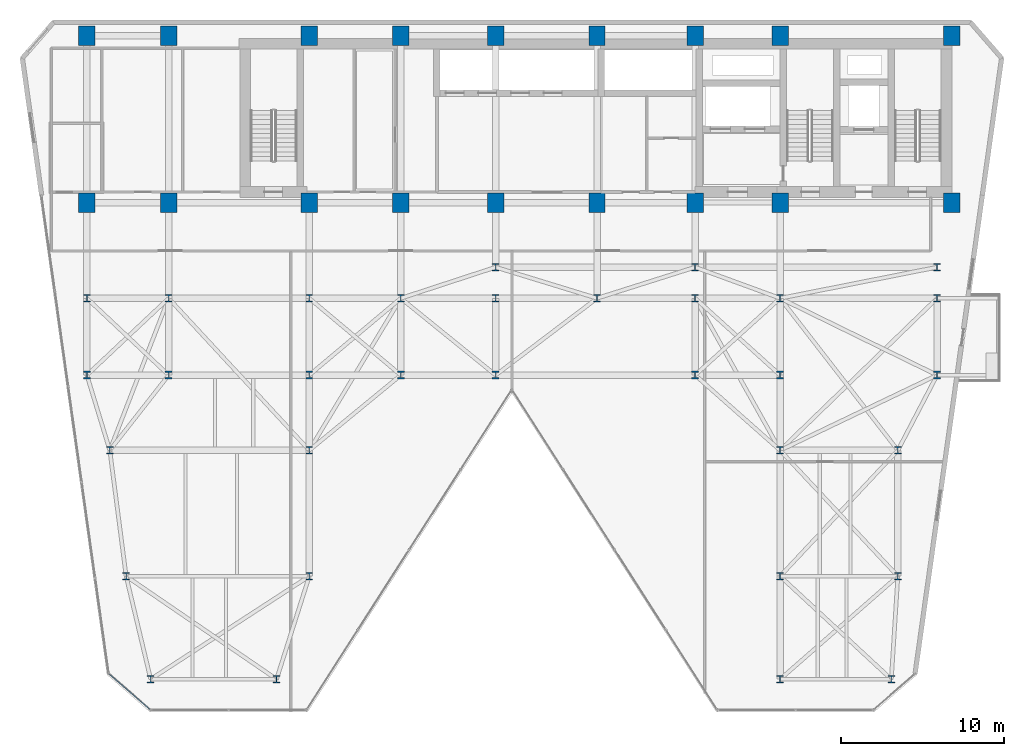
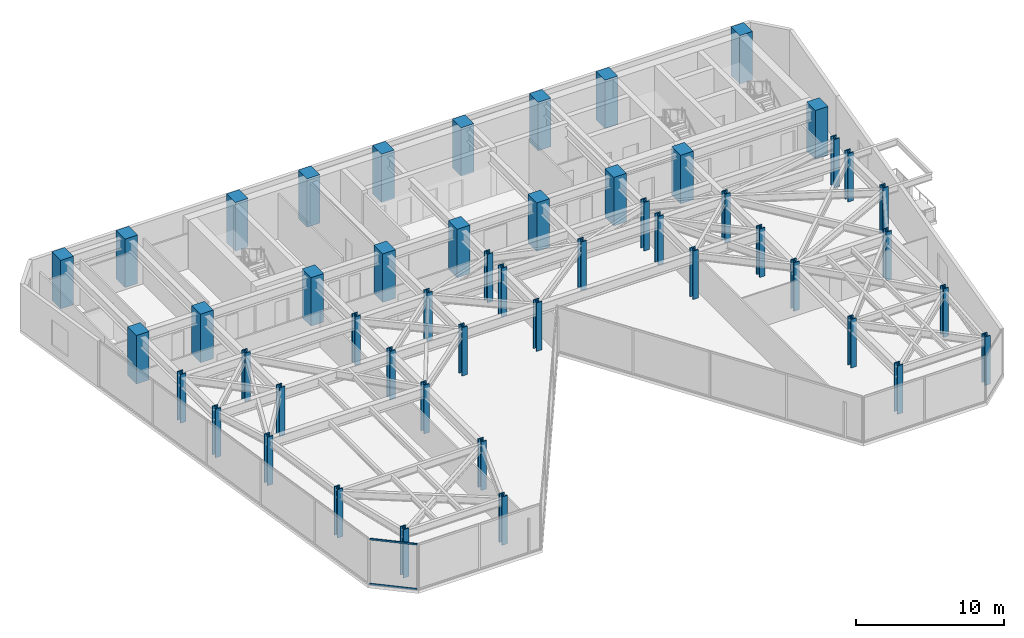
# One storey, part 1 of 26: 50 columns, 2 members, 1 element without a shape of its own.
"""IFC4 building model written with IfcOpenShell, lengths in metres."""

from ifc_helpers import new_model, si_unit, direction, frame, origin, origin_2d, place, context, subcontext, project, spatial, rectangle, hollow_rectangle, i_section, extrude, material, layer, layer_set, material_profile, profile_set, type_object, element, aggregate, save


model = new_model("IFC4")

# Units and contexts
model_context = context("Model", 3, precision=1e-05, world=origin(), true_north=direction((0.0, 1.0)))
body_context = subcontext(model_context, "Body", "Model", "MODEL_VIEW")
ifc_project = project(units=[si_unit("LENGTHUNIT", "METRE"), si_unit("AREAUNIT", "SQUARE_METRE"), si_unit("VOLUMEUNIT", "CUBIC_METRE"), si_unit("PLANEANGLEUNIT", "RADIAN"), si_unit("MASSUNIT", "GRAM", prefix="KILO")], contexts=[model_context])

# Site, building, storey
site_placement = place(None, origin())
site = spatial("IfcSite", under=ifc_project, at=site_placement, CompositionType="ELEMENT")
building_placement = place(site_placement, origin())
building = spatial("IfcBuilding", under=site, at=building_placement, Name="Kravanh Interchange Tower", CompositionType="ELEMENT")
storey_placement = place(building_placement, frame((0.0, 0.0, 120.0)))
storey = spatial("IfcBuildingStorey", under=building, at=storey_placement, Name="L28", CompositionType="ELEMENT", Elevation=120.0)

# Columns
ifc_material_1 = material(Name="Concrete C70/85", Category="concrete")
ifc_material_profile_1 = material_profile(ifc_material_1, rectangle(XDim=1.0, YDim=1.199951171875, at=origin_2d()), Name="RC1000X1200")
ifc_profile_set_1 = profile_set([ifc_material_profile_1], Name="Concrete C70/85")
column_type_1 = type_object("IfcColumnType", Name="Column RC1000X1200 Concrete C70/85", PredefinedType="COLUMN", material=ifc_profile_set_1)
for number, where, z_axis, x_axis, name in (
    (1, (66.5, 47.550048828125, 0.0), (0.0, 0.0, 1.0), (1.0, 0.0, 0.0), "L28 Column CS01"),
    (2, (56.0, 47.550048828125, 0.0), (0.0, 0.0, 1.0), (1.0, 0.0, 0.0), "L28 Column CS02"),
    (3, (66.5, 37.35009765625, 0.0), (0.0, 0.0, 1.0), (1.0, 0.0, 0.0), "L28 Column CS03"),
    (4, (56.0, 37.35009765625, 0.0), (0.0, 0.0, 1.0), (1.0, 0.0, 0.0), "L28 Column CS04"),
    (5, (50.800048828125, 47.550048828125, 0.0), (0.0, 0.0, 1.0), (1.0, 0.0, 0.0), "L28 Column CS05"),
    (6, (50.800048828125, 37.35009765625, 0.0), (0.0, 0.0, 1.0), (1.0, 0.0, 0.0), "L28 Column CS06"),
    (7, (44.800048828125, 37.35009765625, 0.0), (0.0, 0.0, 1.0), (1.0, 0.0, 0.0), "L28 Column CS07"),
    (8, (44.800048828125, 47.550048828125, 0.0), (0.0, 0.0, 1.0), (1.0, 0.0, 0.0), "L28 Column CS08"),
    (9, (38.60009765625, 37.35009765625, 0.0), (0.0, 0.0, 1.0), (1.0, 0.0, 0.0), "L28 Column CS09"),
    (10, (38.60009765625, 47.550048828125, 0.0), (0.0, 0.0, 1.0), (1.0, 0.0, 0.0), "L28 Column CS10"),
    (11, (32.800048828125, 37.35009765625, 0.0), (0.0, 0.0, 1.0), (1.0, 0.0, 0.0), "L28 Column CS11"),
    (12, (32.800048828125, 47.550048828125, 0.0), (0.0, 0.0, 1.0), (1.0, 0.0, 0.0), "L28 Column CS12"),
    (13, (27.199951171875, 37.35009765625, 0.0), (0.0, 0.0, 1.0), (1.0, 0.0, 0.0), "L28 Column CS13"),
    (14, (27.199951171875, 47.550048828125, 0.0), (0.0, 0.0, 1.0), (1.0, 0.0, 0.0), "L28 Column CS14"),
    (15, (18.60009765625, 37.35009765625, 0.0), (0.0, 0.0, 1.0), (1.0, 0.0, 0.0), "L28 Column CS17"),
    (16, (18.60009765625, 47.550048828125, 0.0), (0.0, 0.0, 1.0), (1.0, 0.0, 0.0), "L28 Column CS18"),
    (17, (13.60009765625, 37.35009765625, 0.0), (0.0, 0.0, 1.0), (1.0, 0.0, 0.0), "L28 Column CS19"),
    (18, (13.60009765625, 47.550048828125, 0.0), (0.0, 0.0, 1.0), (1.0, 0.0, 0.0), "L28 Column CS20"),
):
    element("IfcColumn", number, at=place(storey_placement, frame(where, z_axis=z_axis, x_axis=x_axis)), inside=storey, type_object=column_type_1, Name=name, PredefinedType="COLUMN", context=body_context, shape_type="SweptSolid", body=[
        extrude(rectangle(XDim=1.0, YDim=1.199951171875, at=origin_2d()), origin(), (0.0, 0.0, 1.0), 4.0),
    ])
ifc_material_2 = material(Name="Structural Steel S450", Category="steel")
ifc_material_profile_2 = material_profile(ifc_material_2, i_section(OverallWidth=0.424072265625, OverallDepth=0.47412109375, WebThickness=0.047607421875, FlangeThickness=0.0771484375, FilletRadius=0.030029296875, at=origin_2d()), Name="W14X426")
ifc_profile_set_2 = profile_set([ifc_material_profile_2], Name="Structural Steel S450")
column_type_2 = type_object("IfcColumnType", Name="Column W14X426 Structural Steel S450", PredefinedType="COLUMN", material=ifc_profile_set_2)
for number, where, z_axis, x_axis, name in (
    (19, (17.5, 8.199951171875, 0.0), (0.0, 0.0, 1.0), (1.0, 0.0, 0.0), "L28 Column CZ2_1"),
    (20, (13.60009765625, 26.800048828125, 0.0), (0.0, 0.0, 1.0), (1.0, 0.0, 0.0), "L28 Column CZ2_11"),
    (21, (18.60009765625, 26.800048828125, 0.0), (0.0, 0.0, 1.0), (1.0, 0.0, 0.0), "L28 Column CZ2_12"),
    (22, (27.199951171875, 26.800048828125, 0.0), (0.0, 0.0, 1.0), (1.0, 0.0, 0.0), "L28 Column CZ2_13"),
    (23, (32.800048828125, 26.800048828125, 0.0), (0.0, 0.0, 1.0), (1.0, 0.0, 0.0), "L28 Column CZ2_14"),
    (24, (38.60009765625, 26.800048828125, 0.0), (0.0, 0.0, 1.0), (1.0, 0.0, 0.0), "L28 Column CZ2_14B"),
    (25, (50.800048828125, 26.800048828125, 0.0), (0.0, 0.0, 1.0), (1.0, 0.0, 0.0), "L28 Column CZ2_15"),
    (26, (56.0, 26.800048828125, 0.0), (0.0, 0.0, 1.0), (1.0, 0.0, 0.0), "L28 Column CZ2_16"),
    (27, (65.60009765625, 26.800048828125, 0.0), (0.0, 0.0, 1.0), (1.0, 0.0, 0.0), "L28 Column CZ2_17"),
    (28, (13.60009765625, 31.5, 0.0), (0.0, 0.0, 1.0), (1.0, 0.0, 0.0), "L28 Column CZ2_18"),
    (29, (18.60009765625, 31.5, 0.0), (0.0, 0.0, 1.0), (1.0, 0.0, 0.0), "L28 Column CZ2_18B"),
    (30, (27.199951171875, 31.5, 0.0), (0.0, 0.0, 1.0), (1.0, 0.0, 0.0), "L28 Column CZ2_19"),
    (31, (25.199951171875, 8.199951171875, 0.0), (0.0, 0.0, 1.0), (1.0, 0.0, 0.0), "L28 Column CZ2_2"),
    (32, (32.800048828125, 31.5, 0.0), (0.0, 0.0, 1.0), (1.0, 0.0, 0.0), "L28 Column CZ2_20"),
    (33, (38.60009765625, 31.5, 0.0), (0.0, 0.0, 1.0), (1.0, 0.0, 0.0), "L28 Column CZ2_21"),
    (34, (44.800048828125, 31.5, 0.0), (0.0, 0.0, 1.0), (1.0, 0.0, 0.0), "L28 Column CZ2_22"),
    (35, (50.800048828125, 31.5, 0.0), (0.0, 0.0, 1.0), (1.0, 0.0, 0.0), "L28 Column CZ2_23"),
    (36, (56.0, 31.5, 0.0), (0.0, 0.0, 1.0), (1.0, 0.0, 0.0), "L28 Column CZ2_24"),
    (37, (65.60009765625, 31.5, 0.0), (0.0, 0.0, 1.0), (1.0, 0.0, 0.0), "L28 Column CZ2_25"),
    (38, (56.0, 8.199951171875, 0.0), (0.0, 0.0, 1.0), (1.0, 0.0, 0.0), "L28 Column CZ2_3"),
    (39, (62.800048828125, 8.199951171875, 0.0), (0.0, 0.0, 1.0), (1.0, 0.0, 0.0), "L28 Column CZ2_4"),
    (40, (16.0, 14.5, 0.0), (0.0, 0.0, 1.0), (1.0, 0.0, 0.0), "L28 Column CZ2_5"),
    (41, (27.199951171875, 14.5, 0.0), (0.0, 0.0, 1.0), (1.0, 0.0, 0.0), "L28 Column CZ2_5B"),
    (42, (56.0, 14.5, 0.0), (0.0, 0.0, 1.0), (1.0, 0.0, 0.0), "L28 Column CZ2_5C"),
    (43, (63.199951171875, 14.5, 0.0), (0.0, 0.0, 1.0), (1.0, 0.0, 0.0), "L28 Column CZ2_5D"),
    (44, (15.0, 22.199951171875, 0.0), (0.0, 0.0, 1.0), (1.0, 0.0, 0.0), "L28 Column CZ2_6"),
    (45, (27.199951171875, 22.199951171875, 0.0), (0.0, 0.0, 1.0), (1.0, 0.0, 0.0), "L28 Column CZ2_7"),
    (46, (56.0, 22.199951171875, 0.0), (0.0, 0.0, 1.0), (1.0, 0.0, 0.0), "L28 Column CZ2_8"),
    (47, (63.199951171875, 22.199951171875, 0.0), (0.0, 0.0, 1.0), (1.0, 0.0, 0.0), "L28 Column CZ2_9"),
    (48, (38.60009765625, 33.39990234375, 0.0), (0.0, 0.0, 1.0), (1.0, 0.0, 0.0), "L28 Column CZ2_M1"),
    (49, (50.800048828125, 33.39990234375, 0.0), (0.0, 0.0, 1.0), (1.0, 0.0, 0.0), "L28 Column CZ2_M2"),
    (50, (65.60009765625, 33.39990234375, 0.0), (0.0, 0.0, 1.0), (1.0, 0.0, 0.0), "L28 Column CZ2_M3"),
):
    element("IfcColumn", number, at=place(storey_placement, frame(where, z_axis=z_axis, x_axis=x_axis)), inside=storey, type_object=column_type_2, Name=name, PredefinedType="COLUMN", context=body_context, shape_type="SweptSolid", body=[
        extrude(i_section(OverallWidth=0.424072265625, OverallDepth=0.47412109375, WebThickness=0.047607421875, FlangeThickness=0.0771484375, FilletRadius=0.030029296875, at=origin_2d()), origin(), (0.0, 0.0, 1.0), 4.0),
    ])

# Curtain wall, members
ifc_material_3 = material(Name="Anodised Bronze Aluminium", Category="aluminium")
ifc_layer = layer(ifc_material_3, 0.179931640625)
ifc_layer_set = layer_set([ifc_layer], Name="Unitised Curtain Wall System CW-Z2 Mid Office")
curtain_wall_type = type_object("IfcCurtainWallType", Name="Unitised Curtain Wall System CW-Z2 Mid Office", PredefinedType="NOTDEFINED", material=ifc_layer_set)
curtain_wall_placement = place(storey_placement, origin())
curtain_wall = element("IfcCurtainWall", 51, at=curtain_wall_placement, inside=storey, type_object=curtain_wall_type, Name="L28 Unitised Curtain Wall CW-L28-07", PredefinedType="NOTDEFINED")
ifc_material_4 = material(Name="Anodised Bronze Aluminium", Category="aluminium")
ifc_material_profile_3 = material_profile(ifc_material_4, hollow_rectangle(XDim=0.06005859375, YDim=0.139892578125, WallThickness=0.00390625, at=origin_2d()), Name="ALU60X140X4")
ifc_profile_set_3 = profile_set([ifc_material_profile_3], Name="Anodised Bronze Aluminium")
member_type = type_object("IfcMemberType", Name="Curtain Wall Transom ALU60X140X4 Bronze", PredefinedType="USERDEFINED", material=ifc_profile_set_3)
member_1_placement = place(storey_placement, frame((17.444580078125, 6.359375, 0.030029296875), z_axis=(-0.754742467432, 0.656021194669, 0.0), x_axis=(-0.656021194669, -0.754742467432, 0.0)))
member_1 = element("IfcMember", 52, at=member_1_placement, type_object=member_type, Name="CW-Z2 transom 1.1", ObjectType="TRANSOM", PredefinedType="USERDEFINED", context=body_context, shape_type="SweptSolid", body=[
    extrude(hollow_rectangle(XDim=0.06005859375, YDim=0.139892578125, WallThickness=0.00390625, at=origin_2d()), origin(), (0.0, 0.0, 1.0), 3.261962890625),
])
member_2_placement = place(storey_placement, frame((17.444580078125, 6.359375, 3.719970703125), z_axis=(-0.754742467432, 0.656021194669, 0.0), x_axis=(-0.656021194669, -0.754742467432, 0.0)))
member_2 = element("IfcMember", 53, at=member_2_placement, type_object=member_type, Name="CW-Z2 transom 1.2", ObjectType="TRANSOM", PredefinedType="USERDEFINED", context=body_context, shape_type="SweptSolid", body=[
    extrude(hollow_rectangle(XDim=0.06005859375, YDim=0.139892578125, WallThickness=0.00390625, at=origin_2d()), origin(), (0.0, 0.0, 1.0), 3.261962890625),
])
aggregate(curtain_wall, [member_1, member_2])

save(model, "model.ifc")
